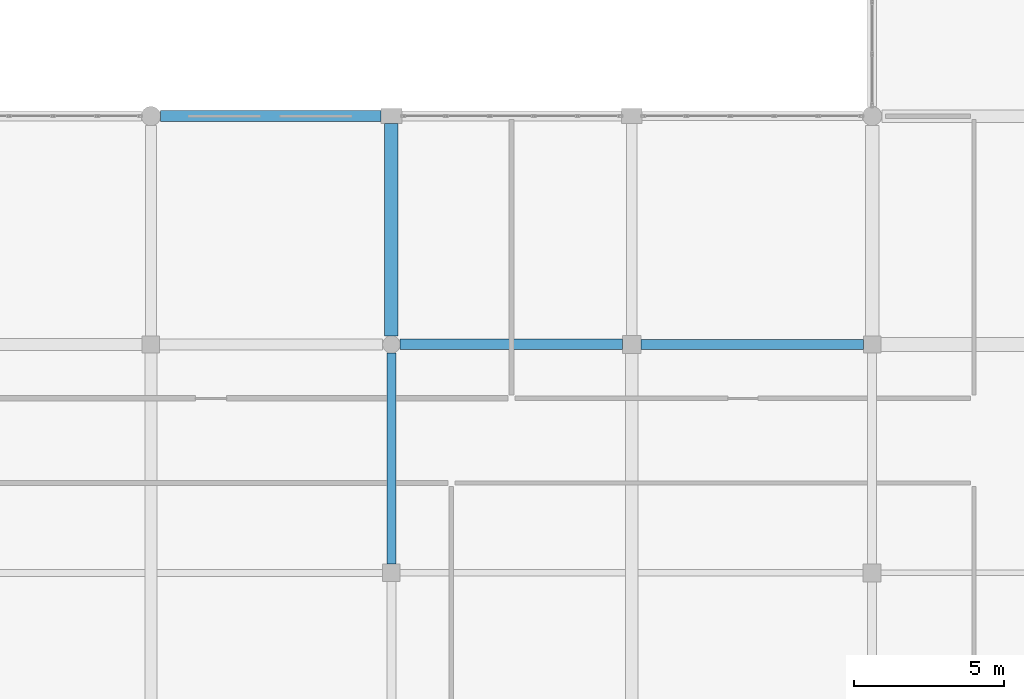
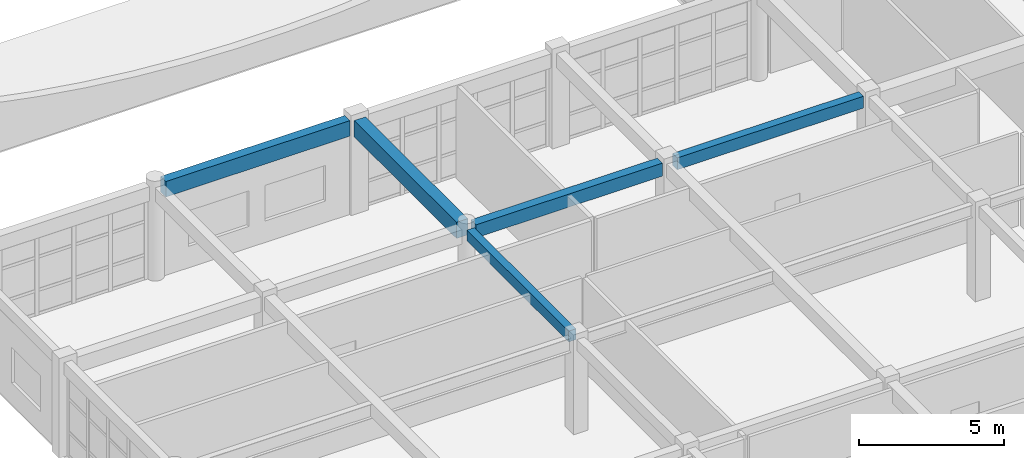
# One storey, part 16 of 121: 5 beams.
"""IFC4 building model written with IfcOpenShell, lengths in metres."""

from ifc_helpers import new_model, si_unit, direction, frame, origin, origin_2d, place, context, subcontext, project, spatial, rectangle, extrude, material, material_profile, profile_set, type_object, element, save


model = new_model("IFC4")

# Units and contexts
model_context = context("Model", 3, precision=1e-05, world=origin(), true_north=direction((0.0, 1.0)))
body_context = subcontext(model_context, "Body", "Model", "MODEL_VIEW")
ifc_project = project(units=[si_unit("LENGTHUNIT", "METRE"), si_unit("AREAUNIT", "SQUARE_METRE"), si_unit("VOLUMEUNIT", "CUBIC_METRE"), si_unit("PLANEANGLEUNIT", "RADIAN"), si_unit("MASSUNIT", "GRAM", prefix="KILO")], contexts=[model_context])

# Site, building, storey
site_placement = place(None, origin())
site = spatial("IfcSite", under=ifc_project, at=site_placement, CompositionType="ELEMENT")
building_placement = place(site_placement, origin())
building = spatial("IfcBuilding", under=site, at=building_placement, Name="Kharva Crest Polytechnic", CompositionType="ELEMENT")
storey_placement = place(building_placement, frame((0.0, 0.0, 13.199951171875)))
storey = spatial("IfcBuildingStorey", under=building, at=storey_placement, Name="L03", CompositionType="ELEMENT", Elevation=13.199951171875)

# Beams
ifc_material = material(Name="Concrete C35/45", Category="concrete")
ifc_material_profile_1 = material_profile(ifc_material, rectangle(XDim=0.300048828125, YDim=0.449951171875, at=origin_2d()), Name="RECT 300 X 450")
ifc_profile_set_1 = profile_set([ifc_material_profile_1], Name="Concrete C35/45")
beam_type_1 = type_object("IfcBeamType", Name="BM-RC-300X450", PredefinedType="BEAM", material=ifc_profile_set_1)
beam_1_placement = place(storey_placement, frame((16.0, 15.489990234375, 3.735107421875), z_axis=(0.0, 1.0, 0.0), x_axis=(-1.0, 0.0, 0.0)))
element("IfcBeam", 1, at=beam_1_placement, inside=storey, type_object=beam_type_1, Name="L03 Girder 3/C-D", PredefinedType="BEAM", context=body_context, shape_type="SweptSolid", body=[
    extrude(rectangle(XDim=0.300048828125, YDim=0.449951171875, at=origin_2d()), origin(), (0.0, 0.0, 1.0), 7.02001953125),
])
ifc_material_profile_2 = material_profile(ifc_material, rectangle(XDim=0.320068359375, YDim=0.5, at=origin_2d()), Name="RECT 320 X 500")
ifc_profile_set_2 = profile_set([ifc_material_profile_2], Name="Concrete C35/45")
beam_type_2 = type_object("IfcBeamType", Name="BM-RC-320X500", PredefinedType="BEAM", material=ifc_profile_set_2)
beam_2_placement = place(storey_placement, frame((24.300048828125, 22.800048828125, 3.7099609375), z_axis=(1.0, 0.0, 0.0), x_axis=(0.0, 1.0, 0.0)))
element("IfcBeam", 2, at=beam_2_placement, inside=storey, type_object=beam_type_2, Name="L03 Beam D/4-5", PredefinedType="BEAM", context=body_context, shape_type="SweptSolid", body=[
    extrude(rectangle(XDim=0.320068359375, YDim=0.5, at=origin_2d()), origin(), (0.0, 0.0, 1.0), 7.409912109375),
])
ifc_material_profile_3 = material_profile(ifc_material, rectangle(XDim=0.35009765625, YDim=0.550048828125, at=origin_2d()), Name="RECT 350 X 550")
ifc_profile_set_3 = profile_set([ifc_material_profile_3], Name="Concrete C35/45")
beam_type_3 = type_object("IfcBeamType", Name="BM-RC-350X550", PredefinedType="BEAM", material=ifc_profile_set_3)
beam_3_placement = place(storey_placement, frame((16.2900390625, 22.800048828125, 3.68505859375), z_axis=(1.0, 0.0, 0.0), x_axis=(0.0, 1.0, 0.0)))
element("IfcBeam", 3, at=beam_3_placement, inside=storey, type_object=beam_type_3, Name="L03 Beam D/3-4", PredefinedType="BEAM", context=body_context, shape_type="SweptSolid", body=[
    extrude(rectangle(XDim=0.35009765625, YDim=0.550048828125, at=origin_2d()), origin(), (0.0, 0.0, 1.0), 7.409912109375),
])
ifc_material_profile_4 = material_profile(ifc_material, rectangle(XDim=0.449951171875, YDim=0.679931640625, at=origin_2d()), Name="RECT 450 X 680")
ifc_profile_set_4 = profile_set([ifc_material_profile_4], Name="Concrete C35/45")
beam_type_4 = type_object("IfcBeamType", Name="BM-RC-450X680", PredefinedType="BEAM", material=ifc_profile_set_4)
beam_4_placement = place(storey_placement, frame((16.0, 23.090087890625, 3.6201171875), z_axis=(0.0, 1.0, 0.0), x_axis=(-1.0, 0.0, 0.0)))
element("IfcBeam", 4, at=beam_4_placement, inside=storey, type_object=beam_type_4, Name="L03 Girder 3/D-E", PredefinedType="BEAM", context=body_context, shape_type="SweptSolid", body=[
    extrude(rectangle(XDim=0.449951171875, YDim=0.679931640625, at=origin_2d()), origin(), (0.0, 0.0, 1.0), 7.059814453125),
])
ifc_material_profile_5 = material_profile(ifc_material, rectangle(XDim=0.360107421875, YDim=0.64990234375, at=origin_2d()), Name="RECT 360 X 650")
ifc_profile_set_5 = profile_set([ifc_material_profile_5], Name="Concrete C35/45")
beam_type_5 = type_object("IfcBeamType", Name="SP-RC-360X650", PredefinedType="SPANDREL", material=ifc_profile_set_5)
beam_5_placement = place(storey_placement, frame((8.320068359375, 30.39990234375, 3.635009765625), z_axis=(1.0, 0.0, 0.0), x_axis=(0.0, 1.0, 0.0)))
element("IfcBeam", 5, at=beam_5_placement, inside=storey, type_object=beam_type_5, Name="L03 Beam E/2-3", PredefinedType="SPANDREL", context=body_context, shape_type="SweptSolid", body=[
    extrude(rectangle(XDim=0.360107421875, YDim=0.64990234375, at=origin_2d()), origin(), (0.0, 0.0, 1.0), 7.329833984375),
])

save(model, "model.ifc")
